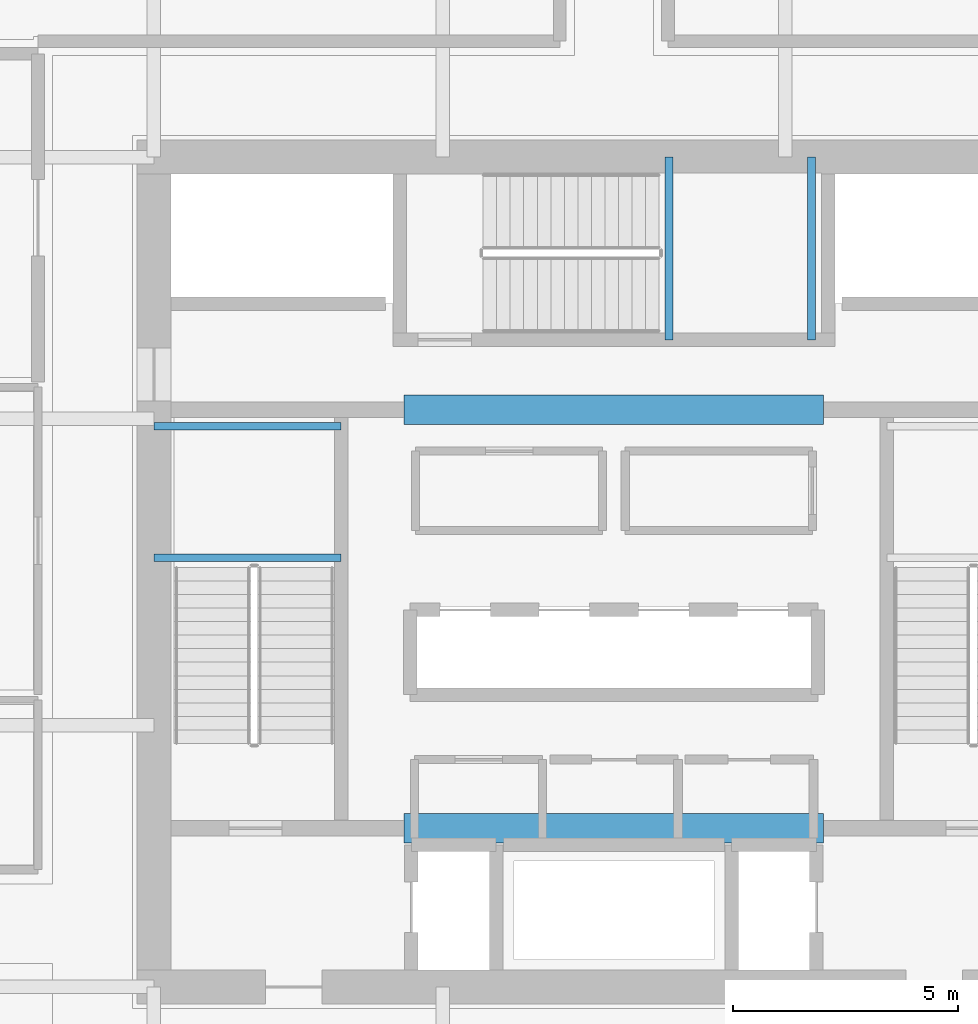
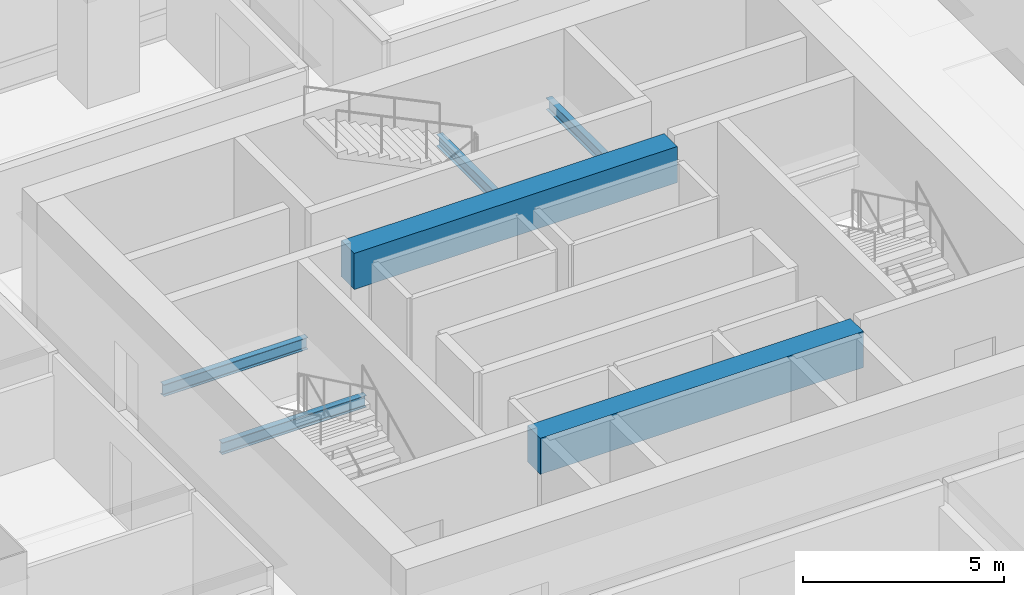
# One storey, part 12 of 36: 6 beams.
"""IFC4 building model written with IfcOpenShell, lengths in metres."""

from ifc_helpers import new_model, si_unit, direction, frame, origin, origin_2d, place, context, subcontext, project, spatial, rectangle, i_section, extrude, material, material_profile, profile_set, type_object, element, save


model = new_model("IFC4")

# Units and contexts
model_context = context("Model", 3, precision=1e-05, world=origin(), true_north=direction((0.0, 1.0)))
body_context = subcontext(model_context, "Body", "Model", "MODEL_VIEW")
ifc_project = project(units=[si_unit("LENGTHUNIT", "METRE"), si_unit("AREAUNIT", "SQUARE_METRE"), si_unit("VOLUMEUNIT", "CUBIC_METRE"), si_unit("PLANEANGLEUNIT", "RADIAN"), si_unit("MASSUNIT", "GRAM", prefix="KILO")], contexts=[model_context])

# Site, building, storey
site_placement = place(None, origin())
site = spatial("IfcSite", under=ifc_project, at=site_placement, CompositionType="ELEMENT")
building_placement = place(site_placement, origin())
building = spatial("IfcBuilding", under=site, at=building_placement, Name="Punatoya Terracotta Tower", CompositionType="ELEMENT")
storey_placement = place(building_placement, frame((0.0, 0.0, 48.449951171875)))
storey = spatial("IfcBuildingStorey", under=building, at=storey_placement, Name="L10", CompositionType="ELEMENT", Elevation=48.449951171875)

# Beams
ifc_material_1 = material(Name="Concrete C60/75", Category="concrete")
ifc_material_profile_1 = material_profile(ifc_material_1, rectangle(XDim=0.64990234375, YDim=1.10009765625, at=origin_2d()))
ifc_profile_set_1 = profile_set([ifc_material_profile_1], Name="Concrete C60/75")
beam_type_1 = type_object("IfcBeamType", Name="BM-RC-1100", PredefinedType="LINTEL", material=ifc_profile_set_1)
for number, where, z_axis, x_axis, name in (
    (1, (-4.64990234375, -5.679931640625, 3.260009765625), (1.0, 0.0, 0.0), (0.0, 1.0, 0.0), "L10 Core Coupling Lintel CSW"),
    (2, (-4.64990234375, 3.60009765625, 3.260009765625), (1.0, 0.0, 0.0), (0.0, 1.0, 0.0), "L10 Core Coupling Lintel CNW"),
):
    element("IfcBeam", number, at=place(storey_placement, frame(where, z_axis=z_axis, x_axis=x_axis)), inside=storey, type_object=beam_type_1, Name=name, PredefinedType="LINTEL", context=body_context, shape_type="SweptSolid", body=[
        extrude(rectangle(XDim=0.64990234375, YDim=1.10009765625, at=origin_2d()), origin(), (0.0, 0.0, 1.0), 9.2998046875),
    ])
ifc_material_2 = material(Name="Steel S355", Category="steel")
ifc_material_profile_2 = material_profile(ifc_material_2, i_section(OverallWidth=0.169921875, OverallDepth=0.360107421875, WebThickness=0.008056640625, FlangeThickness=0.0126953125, FilletRadius=0.01806640625, at=origin_2d()))
ifc_profile_set_2 = profile_set([ifc_material_profile_2], Name="Steel S355")
beam_type_2 = type_object("IfcBeamType", Name="BM-SEC-360", PredefinedType="JOIST", material=ifc_profile_set_2)
for number, where, z_axis, x_axis, name in (
    (3, (-10.199951171875, 0.320068359375, 1.64501953125), (1.0, 0.0, 0.0), (0.0, 1.0, 0.0), "BM-L10-ST-1-LD1A"),
    (4, (-10.199951171875, 3.22998046875, 1.64501953125), (1.0, 0.0, 0.0), (0.0, 1.0, 0.0), "BM-L10-ST-1-LD1B"),
):
    element("IfcBeam", number, at=place(storey_placement, frame(where, z_axis=z_axis, x_axis=x_axis)), inside=storey, type_object=beam_type_2, Name=name, PredefinedType="JOIST", context=body_context, shape_type="SweptSolid", body=[
        extrude(i_section(OverallWidth=0.169921875, OverallDepth=0.360107421875, WebThickness=0.008056640625, FlangeThickness=0.0126953125, FilletRadius=0.01806640625, at=origin_2d()), origin(), (0.0, 0.0, 1.0), 4.14990234375),
    ])
for number, where, z_axis, x_axis, name in (
    (5, (1.219970703125, 5.14990234375, 1.64501953125), (0.0, 1.0, 0.0), (-1.0, 0.0, 0.0), "BM-L10-ST-3-LD1A"),
    (6, (4.3798828125, 5.14990234375, 1.64501953125), (0.0, 1.0, 0.0), (-1.0, 0.0, 0.0), "BM-L10-ST-3-LD1B"),
):
    element("IfcBeam", number, at=place(storey_placement, frame(where, z_axis=z_axis, x_axis=x_axis)), inside=storey, type_object=beam_type_2, Name=name, PredefinedType="JOIST", context=body_context, shape_type="SweptSolid", body=[
        extrude(i_section(OverallWidth=0.169921875, OverallDepth=0.360107421875, WebThickness=0.008056640625, FlangeThickness=0.0126953125, FilletRadius=0.01806640625, at=origin_2d()), origin(), (0.0, 0.0, 1.0), 4.050048828125),
    ])

save(model, "model.ifc")
